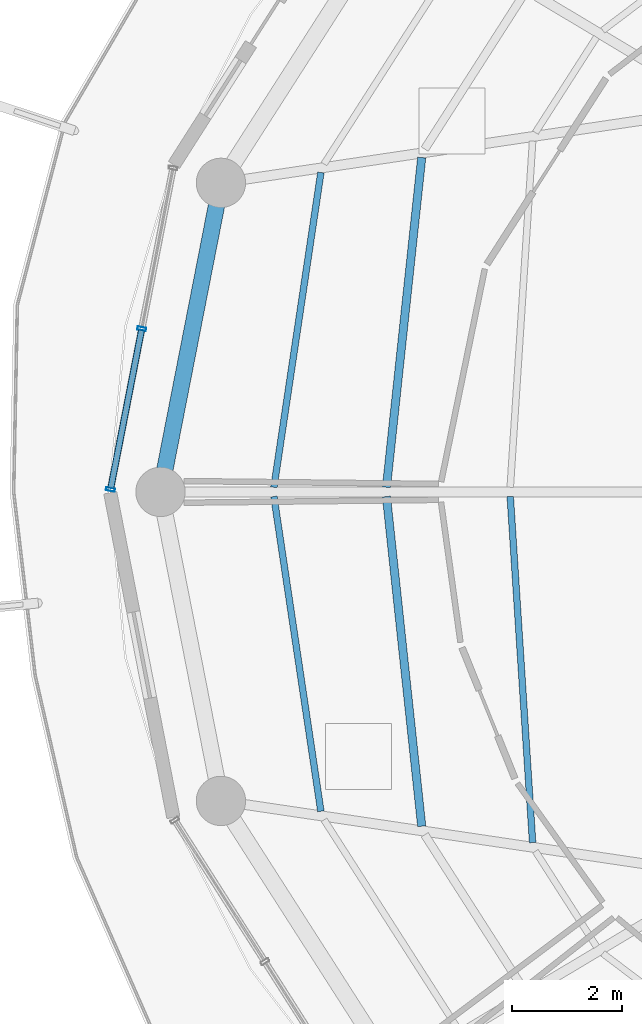
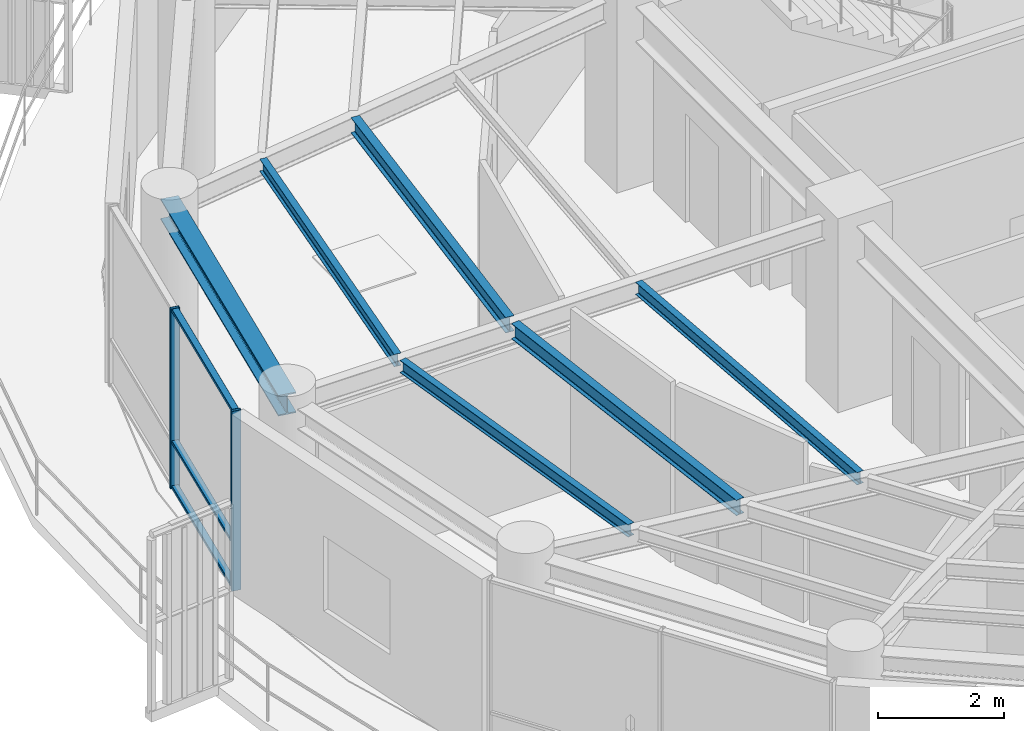
# One storey, part 5 of 22: 6 beams, 5 members, 1 element without a shape of its own.
"""IFC4 building model written with IfcOpenShell, lengths in metres."""

from ifc_helpers import new_model, si_unit, direction, frame, origin, origin_2d, place, context, subcontext, project, spatial, hollow_rectangle, i_section, extrude, material, layer, layer_set, material_profile, profile_set, type_object, element, aggregate, save


model = new_model("IFC4")

# Units and contexts
model_context = context("Model", 3, precision=1e-05, world=origin(), true_north=direction((0.0, 1.0)))
body_context = subcontext(model_context, "Body", "Model", "MODEL_VIEW")
ifc_project = project(units=[si_unit("LENGTHUNIT", "METRE"), si_unit("AREAUNIT", "SQUARE_METRE"), si_unit("VOLUMEUNIT", "CUBIC_METRE"), si_unit("PLANEANGLEUNIT", "RADIAN"), si_unit("MASSUNIT", "GRAM", prefix="KILO")], contexts=[model_context])

# Site, building, storey
site_placement = place(None, origin())
site = spatial("IfcSite", under=ifc_project, at=site_placement, CompositionType="ELEMENT")
building_placement = place(site_placement, origin())
building = spatial("IfcBuilding", under=site, at=building_placement, Name="Kelanora Arch Commons", CompositionType="ELEMENT")
storey_placement = place(building_placement, frame((0.0, 0.0, 259.949951171875)))
storey = spatial("IfcBuildingStorey", under=building, at=storey_placement, Name="L66", CompositionType="ELEMENT", Elevation=259.949951171875)

# Beams
ifc_material_1 = material(Name="Steel S355", Category="steel")
ifc_material_profile_1 = material_profile(ifc_material_1, i_section(OverallWidth=0.14990234375, OverallDepth=0.300048828125, WebThickness=0.007080078125, FlangeThickness=0.0107421875, FilletRadius=0.014892578125, at=origin_2d()), Name="IPE300")
ifc_profile_set_1 = profile_set([ifc_material_profile_1], Name="Steel S355")
beam_type_1 = type_object("IfcBeamType", Name="BM-JST-01", PredefinedType="JOIST", material=ifc_profile_set_1)
for number, where, z_axis, x_axis, name in (
    (1, (60.484375, 64.097412109375, 3.340087890625), (-0.106380594087, -0.994325484538, 0.0), (0.994325484538, -0.106380594087, 0.0), "Secondary Chord Joist BJB-16 L66"),
    (2, (59.841064453125, 57.91552734375, 3.340087890625), (0.106380594087, -0.994325484538, 0.0), (0.994325484538, 0.106380594087, 0.0), "Secondary Chord Joist BJB-18 L66"),
):
    element("IfcBeam", number, at=place(storey_placement, frame(where, z_axis=z_axis, x_axis=x_axis)), inside=storey, type_object=beam_type_1, Name=name, PredefinedType="JOIST", context=body_context, shape_type="SweptSolid", body=[
        extrude(i_section(OverallWidth=0.14990234375, OverallDepth=0.300048828125, WebThickness=0.007080078125, FlangeThickness=0.0107421875, FilletRadius=0.014892578125, at=origin_2d()), origin(), (0.0, 0.0, 1.0), 6.04736328125),
    ])
ifc_material_profile_2 = material_profile(ifc_material_1, i_section(OverallWidth=0.1201171875, OverallDepth=0.239990234375, WebThickness=0.006103515625, FlangeThickness=0.009765625, FilletRadius=0.014892578125, at=origin_2d()), Name="IPE240")
ifc_profile_set_2 = profile_set([ifc_material_profile_2], Name="Steel S355")
beam_type_2 = type_object("IfcBeamType", Name="BM-JST-02", PredefinedType="JOIST", material=ifc_profile_set_2)
beam_1_placement = place(storey_placement, frame((58.6455078125, 63.8251953125, 3.3701171875), z_axis=(-0.14762470282, -0.989043450571, 0.0), x_axis=(0.989043450571, -0.14762470282, 0.0)))
element("IfcBeam", 3, at=beam_1_placement, inside=storey, type_object=beam_type_2, Name="Secondary Chord Joist BJC-16 L66", PredefinedType="JOIST", context=body_context, shape_type="SweptSolid", body=[
    extrude(i_section(OverallWidth=0.1201171875, OverallDepth=0.239990234375, WebThickness=0.006103515625, FlangeThickness=0.009765625, FilletRadius=0.014892578125, at=origin_2d()), origin(), (0.0, 0.0, 1.0), 5.804931640625),
])
beam_2_placement = place(storey_placement, frame((62.09912109375, 57.915283203125, 3.3701171875), z_axis=(0.064495107978, -0.99791802321, 0.0), x_axis=(0.99791802321, 0.064495107978, 0.0)))
element("IfcBeam", 4, at=beam_2_placement, inside=storey, type_object=beam_type_2, Name="Secondary Chord Joist BJA-18 L66", PredefinedType="JOIST", context=body_context, shape_type="SweptSolid", body=[
    extrude(i_section(OverallWidth=0.1201171875, OverallDepth=0.239990234375, WebThickness=0.006103515625, FlangeThickness=0.009765625, FilletRadius=0.014892578125, at=origin_2d()), origin(), (0.0, 0.0, 1.0), 6.325439453125),
])
beam_3_placement = place(storey_placement, frame((57.78857421875, 57.916015625, 3.3701171875), z_axis=(0.14762470282, -0.989043450571, 0.0), x_axis=(0.989043450571, 0.14762470282, 0.0)))
element("IfcBeam", 5, at=beam_3_placement, inside=storey, type_object=beam_type_2, Name="Secondary Chord Joist BJC-18 L66", PredefinedType="JOIST", context=body_context, shape_type="SweptSolid", body=[
    extrude(i_section(OverallWidth=0.1201171875, OverallDepth=0.239990234375, WebThickness=0.006103515625, FlangeThickness=0.009765625, FilletRadius=0.014892578125, at=origin_2d()), origin(), (0.0, 0.0, 1.0), 5.804931640625),
])
ifc_material_profile_3 = material_profile(ifc_material_1, i_section(OverallWidth=0.300048828125, OverallDepth=0.39990234375, WebThickness=0.013427734375, FlangeThickness=0.02392578125, FilletRadius=0.027099609375, at=origin_2d()), Name="HEB400")
ifc_profile_set_3 = profile_set([ifc_material_profile_3], Name="Steel S355")
beam_type_3 = type_object("IfcBeamType", Name="BM-SPN-Z4", PredefinedType="SPANDREL", material=ifc_profile_set_3)
beam_4_placement = place(storey_placement, frame((56.822509765625, 63.636474609375, 3.2900390625), z_axis=(-0.191969774604, -0.981400838413, 0.0), x_axis=(0.981400838413, -0.191969774604, 0.0)))
element("IfcBeam", 6, at=beam_4_placement, inside=storey, type_object=beam_type_3, Name="Perimeter Spandrel Beam BS-16 L66", PredefinedType="SPANDREL", context=body_context, shape_type="SweptSolid", body=[
    extrude(i_section(OverallWidth=0.300048828125, OverallDepth=0.39990234375, WebThickness=0.013427734375, FlangeThickness=0.02392578125, FilletRadius=0.027099609375, at=origin_2d()), origin(), (0.0, 0.0, 1.0), 5.743408203125),
])

# Curtain wall, members
ifc_material_2 = material(Name="Terracotta ceramic-fritted low-E glass and aluminium", Category="masonry")
ifc_layer = layer(ifc_material_2, 0.18994140625)
ifc_layer_set = layer_set([ifc_layer], Name="Terracotta ceramic-fritted low-E glass and aluminium")
curtain_wall_type = type_object("IfcCurtainWallType", Name="CW-SYS-03", PredefinedType="NOTDEFINED", material=ifc_layer_set)
curtain_wall_placement = place(storey_placement, origin())
curtain_wall = element("IfcCurtainWall", 7, at=curtain_wall_placement, inside=storey, type_object=curtain_wall_type, Name="Unitised Curtain Wall L66-B08", PredefinedType="NOTDEFINED")
ifc_material_3 = material(Name="Powder-coated aluminium terracotta", Category="masonry")
ifc_material_profile_4 = material_profile(ifc_material_3, hollow_rectangle(XDim=0.159912109375, YDim=0.06005859375, WallThickness=0.0048828125, InnerFilletRadius=0.0048828125, OuterFilletRadius=0.010009765625, at=origin_2d()), Name="CWM160x60")
ifc_profile_set_4 = profile_set([ifc_material_profile_4], Name="Powder-coated aluminium terracotta")
member_type_1 = type_object("IfcMemberType", Name="CWM-STD", PredefinedType="MULLION", material=ifc_profile_set_4)
member_1_placement = place(storey_placement, frame((55.37890625, 60.9755859375, 0.0), z_axis=(0.0, 0.0, 1.0), x_axis=(0.981595542501, -0.190971701941, 0.0)))
member_1 = element("IfcMember", 8, at=member_1_placement, type_object=member_type_1, Name="CW-03 mullion 2", PredefinedType="MULLION", context=body_context, shape_type="SweptSolid", body=[
    extrude(hollow_rectangle(XDim=0.159912109375, YDim=0.06005859375, WallThickness=0.0048828125, InnerFilletRadius=0.0048828125, OuterFilletRadius=0.010009765625, at=origin_2d()), origin(), (0.0, 0.0, 1.0), 3.47509765625),
])
member_2_placement = place(storey_placement, frame((54.80859375, 58.044189453125, 0.0), z_axis=(0.0, 0.0, 1.0), x_axis=(0.981595542501, -0.190971701941, 0.0)))
member_2 = element("IfcMember", 9, at=member_2_placement, type_object=member_type_1, Name="CW-03 mullion 3", PredefinedType="MULLION", context=body_context, shape_type="SweptSolid", body=[
    extrude(hollow_rectangle(XDim=0.159912109375, YDim=0.06005859375, WallThickness=0.0048828125, InnerFilletRadius=0.0048828125, OuterFilletRadius=0.010009765625, at=origin_2d()), origin(), (0.0, 0.0, 1.0), 3.47509765625),
])
ifc_material_profile_5 = material_profile(ifc_material_3, hollow_rectangle(XDim=0.1201171875, YDim=0.06005859375, WallThickness=0.0048828125, InnerFilletRadius=0.0048828125, OuterFilletRadius=0.010009765625, at=origin_2d()), Name="CWT120x60")
ifc_profile_set_5 = profile_set([ifc_material_profile_5], Name="Powder-coated aluminium terracotta")
member_type_2 = type_object("IfcMemberType", Name="CWT-STD", PredefinedType="USERDEFINED", material=ifc_profile_set_5)
member_3_placement = place(storey_placement, frame((55.373291015625, 60.946044921875, 0.030029296875), z_axis=(-0.190963443354, -0.981597149192, 0.0), x_axis=(0.981597149192, -0.190963443354, 0.0)))
member_3 = element("IfcMember", 10, at=member_3_placement, type_object=member_type_2, Name="CW-03 transom 2.1", ObjectType="TRANSOM", PredefinedType="USERDEFINED", context=body_context, shape_type="SweptSolid", body=[
    extrude(hollow_rectangle(XDim=0.1201171875, YDim=0.06005859375, WallThickness=0.0048828125, InnerFilletRadius=0.0048828125, OuterFilletRadius=0.010009765625, at=origin_2d()), origin(), (0.0, 0.0, 1.0), 2.926513671875),
])
member_4_placement = place(storey_placement, frame((55.373291015625, 60.946044921875, 0.900146484375), z_axis=(-0.190963443354, -0.981597149192, 0.0), x_axis=(0.981597149192, -0.190963443354, 0.0)))
member_4 = element("IfcMember", 11, at=member_4_placement, type_object=member_type_2, Name="CW-03 transom 2.2", ObjectType="TRANSOM", PredefinedType="USERDEFINED", context=body_context, shape_type="SweptSolid", body=[
    extrude(hollow_rectangle(XDim=0.1201171875, YDim=0.06005859375, WallThickness=0.0048828125, InnerFilletRadius=0.0048828125, OuterFilletRadius=0.010009765625, at=origin_2d()), origin(), (0.0, 0.0, 1.0), 2.926513671875),
])
member_5_placement = place(storey_placement, frame((55.373291015625, 60.946044921875, 3.445068359375), z_axis=(-0.190963443354, -0.981597149192, 0.0), x_axis=(0.981597149192, -0.190963443354, 0.0)))
member_5 = element("IfcMember", 12, at=member_5_placement, type_object=member_type_2, Name="CW-03 transom 2.3", ObjectType="TRANSOM", PredefinedType="USERDEFINED", context=body_context, shape_type="SweptSolid", body=[
    extrude(hollow_rectangle(XDim=0.1201171875, YDim=0.06005859375, WallThickness=0.0048828125, InnerFilletRadius=0.0048828125, OuterFilletRadius=0.010009765625, at=origin_2d()), origin(), (0.0, 0.0, 1.0), 2.926513671875),
])
aggregate(curtain_wall, [member_1, member_2, member_3, member_4, member_5])

save(model, "model.ifc")
